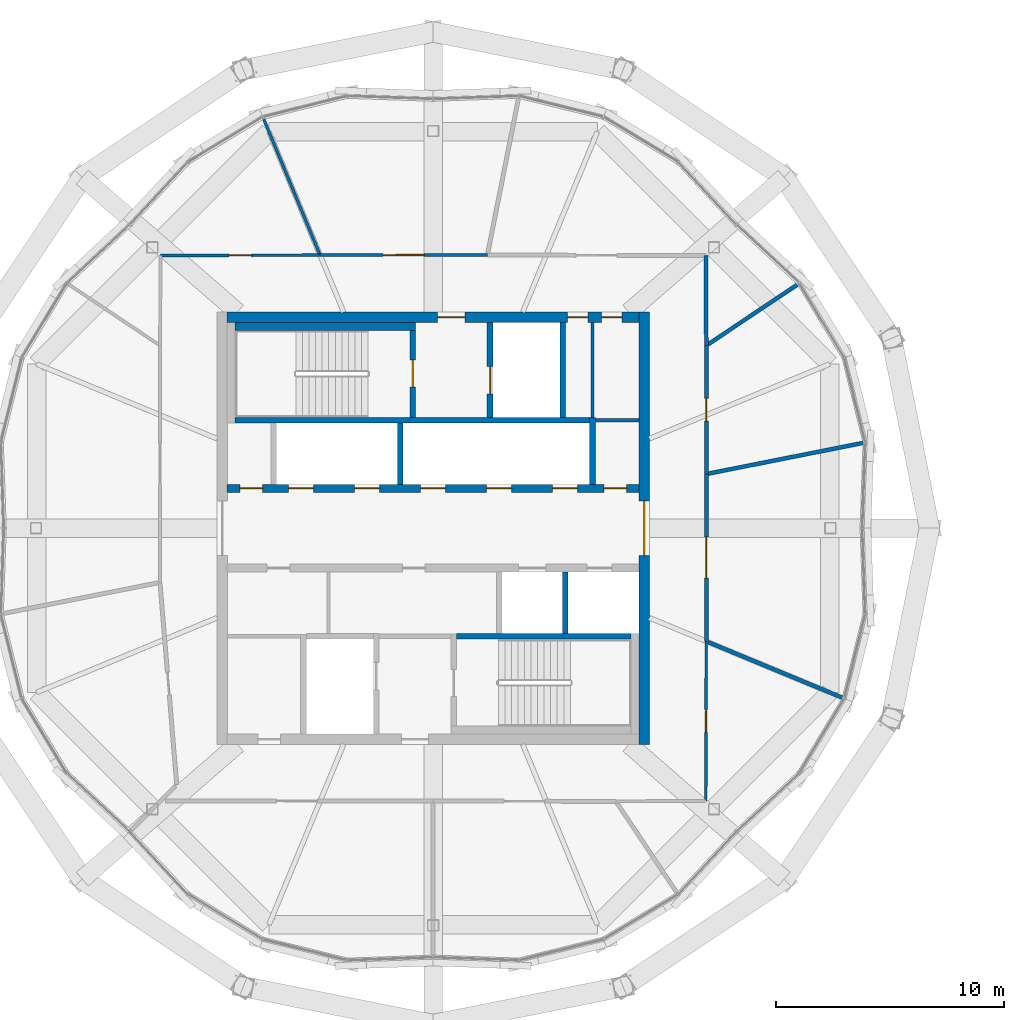
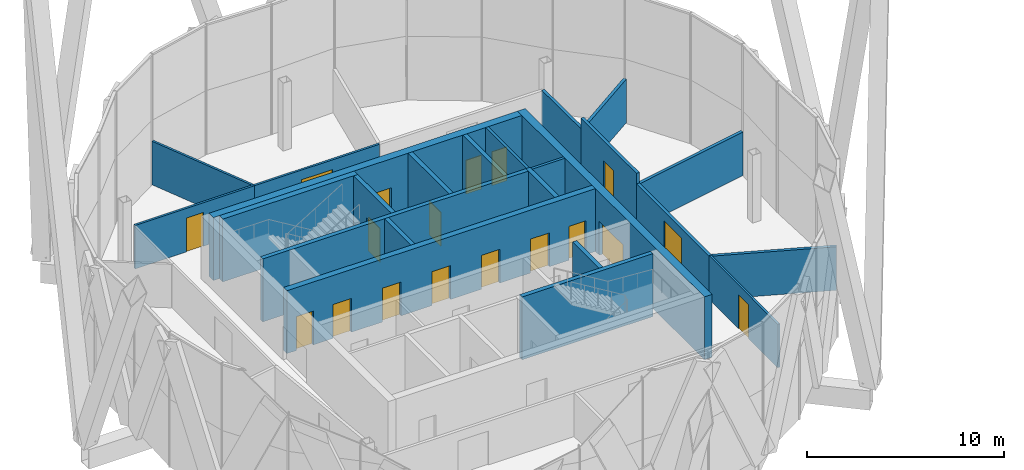
# One storey, part 31 of 38: 24 walls, 18 doors, 18 openings.
"""IFC4 building model written with IfcOpenShell, lengths in metres."""

from ifc_helpers import new_model, si_unit, direction, frame, frame_2d, origin, place, context, subcontext, project, spatial, rectangle, extrude, material, layer, layer_set, type_object, element, fill, save


model = new_model("IFC4")

# Units and contexts
model_context = context("Model", 3, precision=1e-05, world=origin(), true_north=direction((0.0, 1.0)))
body_context = subcontext(model_context, "Body", "Model", "MODEL_VIEW")
ifc_project = project(units=[si_unit("LENGTHUNIT", "METRE"), si_unit("AREAUNIT", "SQUARE_METRE"), si_unit("VOLUMEUNIT", "CUBIC_METRE"), si_unit("PLANEANGLEUNIT", "RADIAN"), si_unit("MASSUNIT", "GRAM", prefix="KILO")], contexts=[model_context])

# Site, building, storey
site_placement = place(None, origin())
site = spatial("IfcSite", under=ifc_project, at=site_placement, CompositionType="ELEMENT")
building_placement = place(site_placement, origin())
building = spatial("IfcBuilding", under=site, at=building_placement, Name="Ogive Gate Towers", CompositionType="ELEMENT")
storey_placement = place(building_placement, frame((0.0, 0.0, 268.800048828125)))
storey = spatial("IfcBuildingStorey", under=building, at=storey_placement, Name="L63", CompositionType="ELEMENT", Elevation=268.800048828125)

# Walls
ifc_material_1 = material(Name="Gypsum board acoustic partition")
ifc_layer_1 = layer(ifc_material_1, 0.175048828125)
ifc_layer_set_1 = layer_set([ifc_layer_1], Name="Acoustic partition 175")
wall_type_1 = type_object("IfcWallType", Name="Acoustic partition 175", PredefinedType="PARTITIONING", material=ifc_layer_set_1)
wall_1_placement = place(storey_placement, frame((-17.10888671875, 3.748291015625, 0.0), z_axis=(0.0, 0.0, 1.0), x_axis=(-0.980874890603, -0.194639279139, 0.0)))
element("IfcWall", 1, at=wall_1_placement, inside=storey, type_object=wall_type_1, Name="Partition T1-L63-001", PredefinedType="PARTITIONING", context=body_context, shape_type="SweptSolid", body=[
    extrude(rectangle(XDim=6.931396484375, YDim=0.175048828125, at=frame_2d((3.4658203125, 0.0))), origin(), (0.0, 0.0, 1.0), 2.699951171875),
])
wall_2_placement = place(storey_placement, frame((-19.914306640625, 10.759521484375, 0.0), z_axis=(0.0, 0.0, 1.0), x_axis=(-0.831185109007, -0.555995786463, 0.0)))
element("IfcWall", 2, at=wall_2_placement, inside=storey, type_object=wall_type_1, Name="Partition T1-L63-002", PredefinedType="PARTITIONING", context=body_context, shape_type="SweptSolid", body=[
    extrude(rectangle(XDim=4.824462890625, YDim=0.175048828125, at=frame_2d((2.412109375, 0.0))), origin(), (0.0, 0.0, 1.0), 2.699951171875),
])
wall_3_placement = place(storey_placement, frame((-18.021240234375, -7.447021484375, 0.0), z_axis=(0.0, 0.0, 1.0), x_axis=(-0.923877413209, 0.382688548773, 0.0)))
element("IfcWall", 3, at=wall_3_placement, inside=storey, type_object=wall_type_1, Name="Partition T1-L63-010", PredefinedType="PARTITIONING", context=body_context, shape_type="SweptSolid", body=[
    extrude(rectangle(XDim=6.381591796875, YDim=0.175048828125, at=frame_2d((3.19091796875, 0.0))), origin(), (0.0, 0.0, 1.0), 2.699951171875),
])

# Wall, opening, door
wall_4_placement = place(storey_placement, frame((-23.997802734375, -4.971435546875, 0.0), z_axis=(0.0, 0.0, 1.0), x_axis=(0.000564408941, 0.999999840721, 0.0)))
wall_4 = element("IfcWall", 4, at=wall_4_placement, inside=storey, type_object=wall_type_1, Name="Partition T1-L63-020", PredefinedType="PARTITIONING", context=body_context, shape_type="SweptSolid", body=[
    extrude(rectangle(XDim=7.353515625, YDim=0.175048828125, at=frame_2d((3.6767578125, 0.0))), origin(), (0.0, 0.0, 1.0), 2.699951171875),
])
opening_1_placement = place(wall_4_placement, frame((2.777099609375, 0.0, 0.0)))
opening_1 = element("IfcOpeningElement", 5, at=opening_1_placement, cuts=wall_4, Name="Opening T1-L63-D08", PredefinedType="OPENING", context=body_context, shape_type="SweptSolid", body=[
    extrude(rectangle(XDim=1.800048828125, YDim=2.10009765625, at=frame_2d((0.89990234375, 1.050048828125))), frame((0.0, 0.09765625, 0.0), z_axis=(0.0, -1.0, 0.0), x_axis=(1.0, 0.0, 0.0)), (0.0, 0.0, 1.0), 0.195068359375),
])
ifc_material_2 = material(Name="Timber door", Category="wood")
door_type_1 = type_object("IfcDoorType", Name="Door pair 1800", OperationType="NOTDEFINED", PredefinedType="DOOR", material=ifc_material_2)
door_1_placement = place(opening_1_placement, origin())
door_1 = element("IfcDoor", 6, at=door_1_placement, inside=storey, type_object=door_type_1, Name="Door T1-L63-D08", OperationType="DOUBLE_DOOR_DOUBLE_SWING", OverallHeight=2.10009765625, OverallWidth=1.800048828125, PredefinedType="DOOR", context=body_context, shape_type="SweptSolid", body=[
    extrude(rectangle(XDim=1.800048828125, YDim=2.10009765625, at=frame_2d((0.89990234375, 1.050048828125))), frame((0.0, 0.02490234375, 0.0), z_axis=(0.0, -1.0, 0.0), x_axis=(1.0, 0.0, 0.0)), (0.0, 0.0, 1.0), 0.050048828125),
])
fill(opening_1, door_1)

wall_5_placement = place(storey_placement, frame((-23.99365234375, 2.382080078125, 0.0), z_axis=(0.0, 0.0, 1.0), x_axis=(-0.000605326766, 0.99999981679, 0.0)))
wall_5 = element("IfcWall", 7, at=wall_5_placement, inside=storey, type_object=wall_type_1, Name="Partition T1-L63-021", PredefinedType="PARTITIONING", context=body_context, shape_type="SweptSolid", body=[
    extrude(rectangle(XDim=5.646484375, YDim=0.175048828125, at=frame_2d((2.8232421875, 0.0))), origin(), (0.0, 0.0, 1.0), 3.349853515625),
])
opening_2_placement = place(wall_5_placement, frame((2.322998046875, 0.0, 0.0)))
opening_2 = element("IfcOpeningElement", 8, at=opening_2_placement, cuts=wall_5, Name="Opening T1-L63-D09", PredefinedType="OPENING", context=body_context, shape_type="SweptSolid", body=[
    extrude(rectangle(XDim=1.0, YDim=2.10009765625, at=frame_2d((0.5, 1.050048828125))), frame((0.0, 0.09765625, 0.0), z_axis=(0.0, -1.0, 0.0), x_axis=(1.0, 0.0, 0.0)), (0.0, 0.0, 1.0), 0.195068359375),
])
door_type_2 = type_object("IfcDoorType", Name="Door 1000", OperationType="NOTDEFINED", PredefinedType="DOOR", material=ifc_material_2)
door_2_placement = place(opening_2_placement, origin())
door_2 = element("IfcDoor", 9, at=door_2_placement, inside=storey, type_object=door_type_2, Name="Door T1-L63-D09", OperationType="SINGLE_SWING_RIGHT", OverallHeight=2.10009765625, OverallWidth=1.0, PredefinedType="DOOR", context=body_context, shape_type="SweptSolid", body=[
    extrude(rectangle(XDim=1.0, YDim=2.10009765625, at=frame_2d((0.5, 1.050048828125))), frame((0.0, 0.02490234375, 0.0), z_axis=(0.0, -1.0, 0.0), x_axis=(1.0, 0.0, 0.0)), (0.0, 0.0, 1.0), 0.050048828125),
])
fill(opening_2, door_2)

# Wall
wall_6_placement = place(storey_placement, frame((-23.9970703125, 8.028564453125, 0.0), z_axis=(0.0, 0.0, 1.0), x_axis=(-0.005807748822, 0.999983134885, 0.0)))
element("IfcWall", 10, at=wall_6_placement, inside=storey, type_object=wall_type_1, Name="Partition T1-L63-023", PredefinedType="PARTITIONING", context=body_context, shape_type="SweptSolid", body=[
    extrude(rectangle(XDim=3.951416015625, YDim=0.175048828125, at=frame_2d((1.9755859375, 0.0))), origin(), (0.0, 0.0, 1.0), 2.699951171875),
])

# Wall, openings, doors
ifc_material_3 = material(Name="Concrete C60/75", Category="concrete")
ifc_layer_2 = layer(ifc_material_3, 0.449951171875)
ifc_layer_set_2 = layer_set([ifc_layer_2], Name="Core wall 450 mm")
wall_type_2 = type_object("IfcWallType", Name="Core wall 450 mm", PredefinedType="SHEAR", material=ifc_layer_set_2)
wall_7_placement = place(storey_placement, frame((-45.050048828125, 9.27490234375, 0.0), z_axis=(0.0, 0.0, 1.0), x_axis=(1.0, 0.0, 0.0)))
wall_7 = element("IfcWall", 11, at=wall_7_placement, inside=storey, type_object=wall_type_2, Name="T1 L63 Core wall 450 mm", PredefinedType="SHEAR", context=body_context, shape_type="SweptSolid", body=[
    extrude(rectangle(XDim=18.10009765625, YDim=0.449951171875, at=frame_2d((9.050048828125, 0.0))), origin(), (0.0, 0.0, 1.0), 3.89990234375),
])
opening_3_placement = place(wall_7_placement, frame((9.25, 0.0, 0.0)))
opening_3 = element("IfcOpeningElement", 12, at=opening_3_placement, cuts=wall_7, Name="Opening KD-T1-L63-18", PredefinedType="OPENING", context=body_context, shape_type="SweptSolid", body=[
    extrude(rectangle(XDim=1.199951171875, YDim=2.10009765625, at=frame_2d((0.60009765625, 1.050048828125))), frame((0.0, 0.23486328125, 0.0), z_axis=(0.0, -1.0, 0.0), x_axis=(1.0, 0.0, 0.0)), (0.0, 0.0, 1.0), 0.469970703125),
])
opening_4_placement = place(wall_7_placement, frame((14.949951171875, 0.0, 0.0)))
opening_4 = element("IfcOpeningElement", 13, at=opening_4_placement, cuts=wall_7, Name="Opening KD-T1-L63-20", PredefinedType="OPENING", context=body_context, shape_type="SweptSolid", body=[
    extrude(rectangle(XDim=0.89990234375, YDim=2.10009765625, at=frame_2d((0.449951171875, 1.050048828125))), frame((0.0, 0.23486328125, 0.0), z_axis=(0.0, -1.0, 0.0), x_axis=(1.0, 0.0, 0.0)), (0.0, 0.0, 1.0), 0.469970703125),
])
opening_5_placement = place(wall_7_placement, frame((16.449951171875, 0.0, 0.0)))
opening_5 = element("IfcOpeningElement", 14, at=opening_5_placement, cuts=wall_7, Name="Opening KD-T1-L63-21", PredefinedType="OPENING", context=body_context, shape_type="SweptSolid", body=[
    extrude(rectangle(XDim=0.89990234375, YDim=2.10009765625, at=frame_2d((0.449951171875, 1.050048828125))), frame((0.0, 0.23486328125, 0.0), z_axis=(0.0, -1.0, 0.0), x_axis=(1.0, 0.0, 0.0)), (0.0, 0.0, 1.0), 0.469970703125),
])
door_type_3 = type_object("IfcDoorType", Name="Core WC door 900 x 2100", OperationType="NOTDEFINED", PredefinedType="DOOR", material=ifc_material_2)
door_3_placement = place(opening_4_placement, origin())
door_3 = element("IfcDoor", 15, at=door_3_placement, inside=storey, type_object=door_type_3, Name="T1 L63 Core door", OperationType="SINGLE_SWING_LEFT", OverallHeight=2.10009765625, OverallWidth=0.89990234375, PredefinedType="DOOR", context=body_context, shape_type="SweptSolid", body=[
    extrude(rectangle(XDim=0.89990234375, YDim=2.10009765625, at=frame_2d((0.449951171875, 1.050048828125))), frame((0.0, 0.02490234375, 0.0), z_axis=(0.0, -1.0, 0.0), x_axis=(1.0, 0.0, 0.0)), (0.0, 0.0, 1.0), 0.050048828125),
])
fill(opening_4, door_3)
door_4_placement = place(opening_5_placement, origin())
door_4 = element("IfcDoor", 16, at=door_4_placement, inside=storey, type_object=door_type_3, Name="T1 L63 Core door", OperationType="SINGLE_SWING_RIGHT", OverallHeight=2.10009765625, OverallWidth=0.89990234375, PredefinedType="DOOR", context=body_context, shape_type="SweptSolid", body=[
    extrude(rectangle(XDim=0.89990234375, YDim=2.10009765625, at=frame_2d((0.449951171875, 1.050048828125))), frame((0.0, 0.02490234375, 0.0), z_axis=(0.0, -1.0, 0.0), x_axis=(1.0, 0.0, 0.0)), (0.0, 0.0, 1.0), 0.050048828125),
])
fill(opening_5, door_4)
ifc_material_4 = material(Name="Steel fire door", Category="steel")
door_type_4 = type_object("IfcDoorType", Name="Core door FD60S 1200 x 2100", OperationType="NOTDEFINED", PredefinedType="DOOR", material=ifc_material_4)
door_5_placement = place(opening_3_placement, origin())
door_5 = element("IfcDoor", 17, at=door_5_placement, inside=storey, type_object=door_type_4, Name="T1 L63 Fire-fighting lobby door", OperationType="SINGLE_SWING_LEFT", OverallHeight=2.10009765625, OverallWidth=1.199951171875, PredefinedType="DOOR", context=body_context, shape_type="SweptSolid", body=[
    extrude(rectangle(XDim=1.199951171875, YDim=2.10009765625, at=frame_2d((0.60009765625, 1.050048828125))), frame((0.0, 0.02490234375, 0.0), z_axis=(0.0, -1.0, 0.0), x_axis=(1.0, 0.0, 0.0)), (0.0, 0.0, 1.0), 0.050048828125),
])
fill(opening_3, door_5)

# Wall, opening, door
wall_8_placement = place(storey_placement, frame((-26.72509765625, -9.5, 0.0), z_axis=(0.0, 0.0, 1.0), x_axis=(0.0, 1.0, 0.0)))
wall_8 = element("IfcWall", 18, at=wall_8_placement, inside=storey, type_object=wall_type_2, Name="T1 L63 Core wall 450 mm", PredefinedType="SHEAR", context=body_context, shape_type="SweptSolid", body=[
    extrude(rectangle(XDim=19.0, YDim=0.449951171875, at=frame_2d((9.5, 0.0))), origin(), (0.0, 0.0, 1.0), 3.89990234375),
])
opening_6_placement = place(wall_8_placement, frame((8.300048828125, 0.0, 0.0)))
opening_6 = element("IfcOpeningElement", 19, at=opening_6_placement, cuts=wall_8, Name="Opening KD-T1-L63-02", PredefinedType="OPENING", context=body_context, shape_type="SweptSolid", body=[
    extrude(rectangle(XDim=2.39990234375, YDim=2.10009765625, at=frame_2d((1.199951171875, 1.050048828125))), frame((0.0, 0.23486328125, 0.0), z_axis=(0.0, -1.0, 0.0), x_axis=(1.0, 0.0, 0.0)), (0.0, 0.0, 1.0), 0.469970703125),
])
door_type_5 = type_object("IfcDoorType", Name="Core double door FD60S 2400 x 2100", OperationType="DOUBLE_DOOR_SINGLE_SWING", PredefinedType="DOOR", material=ifc_material_4)
door_6_placement = place(opening_6_placement, origin())
door_6 = element("IfcDoor", 20, at=door_6_placement, inside=storey, type_object=door_type_5, Name="T1 L63 Core door double", OperationType="DOUBLE_DOOR_SINGLE_SWING", OverallHeight=2.10009765625, OverallWidth=2.39990234375, PredefinedType="DOOR", context=body_context, shape_type="SweptSolid", body=[
    extrude(rectangle(XDim=2.39990234375, YDim=2.10009765625, at=frame_2d((1.199951171875, 1.050048828125))), frame((0.0, 0.02490234375, 0.0), z_axis=(0.0, -1.0, 0.0), x_axis=(1.0, 0.0, 0.0)), (0.0, 0.0, 1.0), 0.050048828125),
])
fill(opening_6, door_6)

# Wall
ifc_material_5 = material(Name="Gypsum board partition")
ifc_layer_3 = layer(ifc_material_5, 0.125)
ifc_layer_set_3 = layer_set([ifc_layer_3], Name="Partition 125")
wall_type_3 = type_object("IfcWallType", Name="Partition 125", PredefinedType="PARTITIONING", material=ifc_layer_set_3)
wall_9_placement = place(storey_placement, frame((-43.447021484375, 17.978759765625, 0.0), z_axis=(0.0, 0.0, 1.0), x_axis=(0.382690608286, -0.923876560115, 0.0)))
element("IfcWall", 21, at=wall_9_placement, inside=storey, type_object=wall_type_3, Name="Partition T1-L63-004", PredefinedType="PARTITIONING", context=body_context, shape_type="SweptSolid", body=[
    extrude(rectangle(XDim=6.406494140625, YDim=0.125, at=frame_2d((3.203125, 0.0))), origin(), (0.0, 0.0, 1.0), 2.699951171875),
])

# Wall, opening, door
wall_10_placement = place(storey_placement, frame((-33.617919921875, 12.00634765625, 0.0), z_axis=(0.0, 0.0, 1.0), x_axis=(-0.999999840721, -0.000564408941, 0.0)))
wall_10 = element("IfcWall", 22, at=wall_10_placement, inside=storey, type_object=wall_type_3, Name="Partition T1-L63-011", PredefinedType="PARTITIONING", context=body_context, shape_type="SweptSolid", body=[
    extrude(rectangle(XDim=7.353515625, YDim=0.125, at=frame_2d((3.6767578125, 0.0))), origin(), (0.0, 0.0, 1.0), 2.699951171875),
])
opening_7_placement = place(wall_10_placement, frame((2.777099609375, 0.0, 0.0)))
opening_7 = element("IfcOpeningElement", 23, at=opening_7_placement, cuts=wall_10, Name="Opening T1-L63-D01", PredefinedType="OPENING", context=body_context, shape_type="SweptSolid", body=[
    extrude(rectangle(XDim=1.800048828125, YDim=2.10009765625, at=frame_2d((0.89990234375, 1.050048828125))), frame((0.0, 0.072509765625, 0.0), z_axis=(0.0, -1.0, 0.0), x_axis=(1.0, 0.0, 0.0)), (0.0, 0.0, 1.0), 0.14501953125),
])
door_7_placement = place(opening_7_placement, origin())
door_7 = element("IfcDoor", 24, at=door_7_placement, inside=storey, type_object=door_type_1, Name="Door T1-L63-D01", OperationType="DOUBLE_DOOR_DOUBLE_SWING", OverallHeight=2.10009765625, OverallWidth=1.800048828125, PredefinedType="DOOR", context=body_context, shape_type="SweptSolid", body=[
    extrude(rectangle(XDim=1.800048828125, YDim=2.10009765625, at=frame_2d((0.89990234375, 1.050048828125))), frame((0.0, 0.02490234375, 0.0), z_axis=(0.0, -1.0, 0.0), x_axis=(1.0, 0.0, 0.0)), (0.0, 0.0, 1.0), 0.050048828125),
])
fill(opening_7, door_7)

wall_11_placement = place(storey_placement, frame((-40.971435546875, 12.002197265625, 0.0), z_axis=(0.0, 0.0, 1.0), x_axis=(-0.999994975719, -0.00316994262, 0.0)))
wall_11 = element("IfcWall", 25, at=wall_11_placement, inside=storey, type_object=wall_type_3, Name="Partition T1-L63-012", PredefinedType="PARTITIONING", context=body_context, shape_type="SweptSolid", body=[
    extrude(rectangle(XDim=7.008544921875, YDim=0.125, at=frame_2d((3.50439453125, 0.0))), origin(), (0.0, 0.0, 1.0), 2.699951171875),
])
opening_8_placement = place(wall_11_placement, frame((3.00390625, 0.0, 0.0)))
opening_8 = element("IfcOpeningElement", 26, at=opening_8_placement, cuts=wall_11, Name="Opening T1-L63-D02", PredefinedType="OPENING", context=body_context, shape_type="SweptSolid", body=[
    extrude(rectangle(XDim=1.0, YDim=2.10009765625, at=frame_2d((0.5, 1.050048828125))), frame((0.0, 0.072509765625, 0.0), z_axis=(0.0, -1.0, 0.0), x_axis=(1.0, 0.0, 0.0)), (0.0, 0.0, 1.0), 0.14501953125),
])
door_8_placement = place(opening_8_placement, origin())
door_8 = element("IfcDoor", 27, at=door_8_placement, inside=storey, type_object=door_type_2, Name="Door T1-L63-D02", OperationType="SINGLE_SWING_RIGHT", OverallHeight=2.10009765625, OverallWidth=1.0, PredefinedType="DOOR", context=body_context, shape_type="SweptSolid", body=[
    extrude(rectangle(XDim=1.0, YDim=2.10009765625, at=frame_2d((0.5, 1.050048828125))), frame((0.0, 0.02490234375, 0.0), z_axis=(0.0, -1.0, 0.0), x_axis=(1.0, 0.0, 0.0)), (0.0, 0.0, 1.0), 0.050048828125),
])
fill(opening_8, door_8)

wall_12_placement = place(storey_placement, frame((-24.02001953125, -11.97998046875, 0.0), z_axis=(0.0, 0.0, 1.0), x_axis=(0.00316994262, 0.999994975719, 0.0)))
wall_12 = element("IfcWall", 28, at=wall_12_placement, inside=storey, type_object=wall_type_3, Name="Partition T1-L63-018", PredefinedType="PARTITIONING", context=body_context, shape_type="SweptSolid", body=[
    extrude(rectangle(XDim=7.008544921875, YDim=0.125, at=frame_2d((3.50439453125, 0.0))), origin(), (0.0, 0.0, 1.0), 2.699951171875),
])
opening_9_placement = place(wall_12_placement, frame((3.00390625, 0.0, 0.0)))
opening_9 = element("IfcOpeningElement", 29, at=opening_9_placement, cuts=wall_12, Name="Opening T1-L63-D07", PredefinedType="OPENING", context=body_context, shape_type="SweptSolid", body=[
    extrude(rectangle(XDim=1.0, YDim=2.10009765625, at=frame_2d((0.5, 1.050048828125))), frame((0.0, 0.072509765625, 0.0), z_axis=(0.0, -1.0, 0.0), x_axis=(1.0, 0.0, 0.0)), (0.0, 0.0, 1.0), 0.14501953125),
])
door_9_placement = place(opening_9_placement, origin())
door_9 = element("IfcDoor", 30, at=door_9_placement, inside=storey, type_object=door_type_2, Name="Door T1-L63-D07", OperationType="SINGLE_SWING_RIGHT", OverallHeight=2.10009765625, OverallWidth=1.0, PredefinedType="DOOR", context=body_context, shape_type="SweptSolid", body=[
    extrude(rectangle(XDim=1.0, YDim=2.10009765625, at=frame_2d((0.5, 1.050048828125))), frame((0.0, 0.02490234375, 0.0), z_axis=(0.0, -1.0, 0.0), x_axis=(1.0, 0.0, 0.0)), (0.0, 0.0, 1.0), 0.050048828125),
])
fill(opening_9, door_9)

# Walls
ifc_layer_4 = layer(ifc_material_5, 0.14990234375)
ifc_layer_set_4 = layer_set([ifc_layer_4], Name="Room partition 150 mm")
wall_type_4 = type_object("IfcWallType", Name="Room partition 150 mm", PredefinedType="PARTITIONING", material=ifc_layer_set_4)
wall_13_placement = place(storey_placement, frame((-28.875, 4.75, 0.0), z_axis=(0.0, 0.0, 1.0), x_axis=(1.0, 0.0, 0.0)))
element("IfcWall", 31, at=wall_13_placement, inside=storey, type_object=wall_type_4, Name="T1 L63 Room partition 150 mm", PredefinedType="PARTITIONING", context=body_context, shape_type="SweptSolid", body=[
    extrude(rectangle(XDim=1.925048828125, YDim=0.14990234375, at=frame_2d((0.96240234375, 0.0))), origin(), (0.0, 0.0, 1.0), 3.89990234375),
])
wall_14_placement = place(storey_placement, frame((-29.0, 4.875, 0.0), z_axis=(0.0, 0.0, 1.0), x_axis=(0.0, 1.0, 0.0)))
element("IfcWall", 32, at=wall_14_placement, inside=storey, type_object=wall_type_4, Name="T1 L63 Room partition 150 mm", PredefinedType="PARTITIONING", context=body_context, shape_type="SweptSolid", body=[
    extrude(rectangle(XDim=4.175048828125, YDim=0.14990234375, at=frame_2d((2.08740234375, 0.0))), origin(), (0.0, 0.0, 1.0), 3.89990234375),
])
ifc_layer_5 = layer(ifc_material_3, 0.25)
ifc_layer_set_5 = layer_set([ifc_layer_5], Name="Shaft wall 250 mm")
wall_type_5 = type_object("IfcWallType", Name="Shaft wall 250 mm", PredefinedType="SHEAR", material=ifc_layer_set_5)
wall_15_placement = place(storey_placement, frame((-34.97509765625, -4.75, 0.0), z_axis=(0.0, 0.0, 1.0), x_axis=(1.0, 0.0, 0.0)))
element("IfcWall", 33, at=wall_15_placement, inside=storey, type_object=wall_type_5, Name="T1 L63 Shaft wall 250 mm", PredefinedType="SHEAR", context=body_context, shape_type="SweptSolid", body=[
    extrude(rectangle(XDim=7.675048828125, YDim=0.25, at=frame_2d((3.83740234375, 0.0))), origin(), (0.0, 0.0, 1.0), 3.89990234375),
])
wall_16_placement = place(storey_placement, frame((-44.699951171875, 4.75, 0.0), z_axis=(0.0, 0.0, 1.0), x_axis=(1.0, 0.0, 0.0)))
element("IfcWall", 34, at=wall_16_placement, inside=storey, type_object=wall_type_5, Name="T1 L63 Shaft wall 250 mm", PredefinedType="SHEAR", context=body_context, shape_type="SweptSolid", body=[
    extrude(rectangle(XDim=15.574951171875, YDim=0.25, at=frame_2d((7.78759765625, 0.0))), origin(), (0.0, 0.0, 1.0), 3.89990234375),
])
wall_17_placement = place(storey_placement, frame((-37.449951171875, 1.925048828125, 0.0), z_axis=(0.0, 0.0, 1.0), x_axis=(0.0, 1.0, 0.0)))
element("IfcWall", 35, at=wall_17_placement, inside=storey, type_object=wall_type_5, Name="T1 L63 Shaft wall 250 mm", PredefinedType="SHEAR", context=body_context, shape_type="SweptSolid", body=[
    extrude(rectangle(XDim=2.699951171875, YDim=0.25, at=frame_2d((1.35009765625, 0.0))), origin(), (0.0, 0.0, 1.0), 3.89990234375),
])

# Wall, opening, door
wall_18_placement = place(storey_placement, frame((-36.89990234375, 4.875, 0.0), z_axis=(0.0, 0.0, 1.0), x_axis=(0.0, 1.0, 0.0)))
wall_18 = element("IfcWall", 36, at=wall_18_placement, inside=storey, type_object=wall_type_5, Name="T1 L63 Shaft wall 250 mm", PredefinedType="SHEAR", context=body_context, shape_type="SweptSolid", body=[
    extrude(rectangle(XDim=3.824951171875, YDim=0.25, at=frame_2d((1.91259765625, 0.0))), origin(), (0.0, 0.0, 1.0), 3.89990234375),
])
opening_10_placement = place(wall_18_placement, frame((1.324951171875, 0.0, 0.0)))
opening_10 = element("IfcOpeningElement", 37, at=opening_10_placement, cuts=wall_18, Name="Opening KD-T1-L63-16", PredefinedType="OPENING", context=body_context, shape_type="SweptSolid", body=[
    extrude(rectangle(XDim=1.199951171875, YDim=2.10009765625, at=frame_2d((0.60009765625, 1.050048828125))), frame((0.0, 0.135009765625, 0.0), z_axis=(0.0, -1.0, 0.0), x_axis=(1.0, 0.0, 0.0)), (0.0, 0.0, 1.0), 0.27001953125),
])
door_10_placement = place(opening_10_placement, origin())
door_10 = element("IfcDoor", 38, at=door_10_placement, inside=storey, type_object=door_type_4, Name="T1 L63 Stair door", OperationType="SINGLE_SWING_LEFT", OverallHeight=2.10009765625, OverallWidth=1.199951171875, PredefinedType="DOOR", context=body_context, shape_type="SweptSolid", body=[
    extrude(rectangle(XDim=1.199951171875, YDim=2.10009765625, at=frame_2d((0.60009765625, 1.050048828125))), frame((0.0, 0.02490234375, 0.0), z_axis=(0.0, -1.0, 0.0), x_axis=(1.0, 0.0, 0.0)), (0.0, 0.0, 1.0), 0.050048828125),
])
fill(opening_10, door_10)

wall_19_placement = place(storey_placement, frame((-33.5, 4.875, 0.0), z_axis=(0.0, 0.0, 1.0), x_axis=(0.0, 1.0, 0.0)))
wall_19 = element("IfcWall", 39, at=wall_19_placement, inside=storey, type_object=wall_type_5, Name="T1 L63 Shaft wall 250 mm", PredefinedType="SHEAR", context=body_context, shape_type="SweptSolid", body=[
    extrude(rectangle(XDim=4.175048828125, YDim=0.25, at=frame_2d((2.08740234375, 0.0))), origin(), (0.0, 0.0, 1.0), 3.89990234375),
])
opening_11_placement = place(wall_19_placement, frame((1.02490234375, 0.0, 0.0)))
opening_11 = element("IfcOpeningElement", 40, at=opening_11_placement, cuts=wall_19, Name="Opening LD-T1-L63-12", PredefinedType="OPENING", context=body_context, shape_type="SweptSolid", body=[
    extrude(rectangle(XDim=1.199951171875, YDim=2.10009765625, at=frame_2d((0.60009765625, 1.050048828125))), frame((0.0, 0.135009765625, 0.0), z_axis=(0.0, -1.0, 0.0), x_axis=(1.0, 0.0, 0.0)), (0.0, 0.0, 1.0), 0.27001953125),
])
ifc_material_6 = material(Name="Stainless steel landing door", Category="steel")
door_type_6 = type_object("IfcDoorType", Name="Landing door 1200 x 2100", OperationType="SLIDING_TO_LEFT", PredefinedType="DOOR", material=ifc_material_6)
door_11_placement = place(opening_11_placement, origin())
door_11 = element("IfcDoor", 41, at=door_11_placement, inside=storey, type_object=door_type_6, Name="T1 L63 Lift landing door FF1", OperationType="SLIDING_TO_LEFT", OverallHeight=2.10009765625, OverallWidth=1.199951171875, PredefinedType="DOOR", context=body_context, shape_type="SweptSolid", body=[
    extrude(rectangle(XDim=1.199951171875, YDim=2.10009765625, at=frame_2d((0.60009765625, 1.050048828125))), frame((0.0, 0.02490234375, 0.0), z_axis=(0.0, -1.0, 0.0), x_axis=(1.0, 0.0, 0.0)), (0.0, 0.0, 1.0), 0.050048828125),
])
fill(opening_11, door_11)

# Walls
wall_20_placement = place(storey_placement, frame((-30.300048828125, 4.875, 0.0), z_axis=(0.0, 0.0, 1.0), x_axis=(0.0, 1.0, 0.0)))
element("IfcWall", 42, at=wall_20_placement, inside=storey, type_object=wall_type_5, Name="T1 L63 Shaft wall 250 mm", PredefinedType="SHEAR", context=body_context, shape_type="SweptSolid", body=[
    extrude(rectangle(XDim=4.175048828125, YDim=0.25, at=frame_2d((2.08740234375, 0.0))), origin(), (0.0, 0.0, 1.0), 3.89990234375),
])
wall_21_placement = place(storey_placement, frame((-30.199951171875, -4.625, 0.0), z_axis=(0.0, 0.0, 1.0), x_axis=(0.0, 1.0, 0.0)))
element("IfcWall", 43, at=wall_21_placement, inside=storey, type_object=wall_type_5, Name="T1 L63 Shaft wall 250 mm", PredefinedType="SHEAR", context=body_context, shape_type="SweptSolid", body=[
    extrude(rectangle(XDim=2.699951171875, YDim=0.25, at=frame_2d((1.35009765625, 0.0))), origin(), (0.0, 0.0, 1.0), 3.89990234375),
])
wall_22_placement = place(storey_placement, frame((-29.0, 1.925048828125, 0.0), z_axis=(0.0, 0.0, 1.0), x_axis=(0.0, 1.0, 0.0)))
element("IfcWall", 44, at=wall_22_placement, inside=storey, type_object=wall_type_5, Name="T1 L63 Shaft wall 250 mm", PredefinedType="SHEAR", context=body_context, shape_type="SweptSolid", body=[
    extrude(rectangle(XDim=2.949951171875, YDim=0.25, at=frame_2d((1.47509765625, 0.0))), origin(), (0.0, 0.0, 1.0), 3.89990234375),
])

# Wall, openings, doors
ifc_layer_6 = layer(ifc_material_3, 0.35009765625)
ifc_layer_set_6 = layer_set([ifc_layer_6], Name="Spine wall 350 mm")
wall_type_6 = type_object("IfcWallType", Name="Spine wall 350 mm", PredefinedType="SHEAR", material=ifc_layer_set_6)
wall_23_placement = place(storey_placement, frame((-45.050048828125, 1.75, 0.0), z_axis=(0.0, 0.0, 1.0), x_axis=(1.0, 0.0, 0.0)))
wall_23 = element("IfcWall", 45, at=wall_23_placement, inside=storey, type_object=wall_type_6, Name="T1 L63 Spine wall 350 mm", PredefinedType="SHEAR", context=body_context, shape_type="SweptSolid", body=[
    extrude(rectangle(XDim=18.10009765625, YDim=0.35009765625, at=frame_2d((9.050048828125, 0.0))), origin(), (0.0, 0.0, 1.0), 3.89990234375),
])
opening_12_placement = place(wall_23_placement, frame((0.550048828125, 0.0, 0.0)))
opening_12 = element("IfcOpeningElement", 46, at=opening_12_placement, cuts=wall_23, Name="Opening KD-T1-L63-03", PredefinedType="OPENING", context=body_context, shape_type="SweptSolid", body=[
    extrude(rectangle(XDim=1.0, YDim=2.10009765625, at=frame_2d((0.5, 1.050048828125))), frame((0.0, 0.18505859375, 0.0), z_axis=(0.0, -1.0, 0.0), x_axis=(1.0, 0.0, 0.0)), (0.0, 0.0, 1.0), 0.3701171875),
])
opening_13_placement = place(wall_23_placement, frame((2.699951171875, 0.0, 0.0)))
opening_13 = element("IfcOpeningElement", 47, at=opening_13_placement, cuts=wall_23, Name="Opening LD-T1-L63-04", PredefinedType="OPENING", context=body_context, shape_type="SweptSolid", body=[
    extrude(rectangle(XDim=1.10009765625, YDim=2.10009765625, at=frame_2d((0.550048828125, 1.050048828125))), frame((0.0, 0.18505859375, 0.0), z_axis=(0.0, -1.0, 0.0), x_axis=(1.0, 0.0, 0.0)), (0.0, 0.0, 1.0), 0.3701171875),
])
opening_14_placement = place(wall_23_placement, frame((5.60009765625, 0.0, 0.0)))
opening_14 = element("IfcOpeningElement", 48, at=opening_14_placement, cuts=wall_23, Name="Opening LD-T1-L63-05", PredefinedType="OPENING", context=body_context, shape_type="SweptSolid", body=[
    extrude(rectangle(XDim=1.10009765625, YDim=2.10009765625, at=frame_2d((0.550048828125, 1.050048828125))), frame((0.0, 0.18505859375, 0.0), z_axis=(0.0, -1.0, 0.0), x_axis=(1.0, 0.0, 0.0)), (0.0, 0.0, 1.0), 0.3701171875),
])
opening_15_placement = place(wall_23_placement, frame((8.5, 0.0, 0.0)))
opening_15 = element("IfcOpeningElement", 49, at=opening_15_placement, cuts=wall_23, Name="Opening LD-T1-L63-06", PredefinedType="OPENING", context=body_context, shape_type="SweptSolid", body=[
    extrude(rectangle(XDim=1.10009765625, YDim=2.10009765625, at=frame_2d((0.550048828125, 1.050048828125))), frame((0.0, 0.18505859375, 0.0), z_axis=(0.0, -1.0, 0.0), x_axis=(1.0, 0.0, 0.0)), (0.0, 0.0, 1.0), 0.3701171875),
])
opening_16_placement = place(wall_23_placement, frame((11.39990234375, 0.0, 0.0)))
opening_16 = element("IfcOpeningElement", 50, at=opening_16_placement, cuts=wall_23, Name="Opening LD-T1-L63-07", PredefinedType="OPENING", context=body_context, shape_type="SweptSolid", body=[
    extrude(rectangle(XDim=1.10009765625, YDim=2.10009765625, at=frame_2d((0.550048828125, 1.050048828125))), frame((0.0, 0.18505859375, 0.0), z_axis=(0.0, -1.0, 0.0), x_axis=(1.0, 0.0, 0.0)), (0.0, 0.0, 1.0), 0.3701171875),
])
opening_17_placement = place(wall_23_placement, frame((14.300048828125, 0.0, 0.0)))
opening_17 = element("IfcOpeningElement", 51, at=opening_17_placement, cuts=wall_23, Name="Opening LD-T1-L63-08", PredefinedType="OPENING", context=body_context, shape_type="SweptSolid", body=[
    extrude(rectangle(XDim=1.10009765625, YDim=2.10009765625, at=frame_2d((0.550048828125, 1.050048828125))), frame((0.0, 0.18505859375, 0.0), z_axis=(0.0, -1.0, 0.0), x_axis=(1.0, 0.0, 0.0)), (0.0, 0.0, 1.0), 0.3701171875),
])
opening_18_placement = place(wall_23_placement, frame((16.550048828125, 0.0, 0.0)))
opening_18 = element("IfcOpeningElement", 52, at=opening_18_placement, cuts=wall_23, Name="Opening KD-T1-L63-09", PredefinedType="OPENING", context=body_context, shape_type="SweptSolid", body=[
    extrude(rectangle(XDim=1.0, YDim=2.10009765625, at=frame_2d((0.5, 1.050048828125))), frame((0.0, 0.18505859375, 0.0), z_axis=(0.0, -1.0, 0.0), x_axis=(1.0, 0.0, 0.0)), (0.0, 0.0, 1.0), 0.3701171875),
])
door_type_7 = type_object("IfcDoorType", Name="Core door FD60S 1000 x 2100", OperationType="NOTDEFINED", PredefinedType="DOOR", material=ifc_material_4)
door_12_placement = place(opening_12_placement, origin())
door_12 = element("IfcDoor", 53, at=door_12_placement, inside=storey, type_object=door_type_7, Name="T1 L63 Core door", OperationType="SINGLE_SWING_RIGHT", OverallHeight=2.10009765625, OverallWidth=1.0, PredefinedType="DOOR", context=body_context, shape_type="SweptSolid", body=[
    extrude(rectangle(XDim=1.0, YDim=2.10009765625, at=frame_2d((0.5, 1.050048828125))), frame((0.0, 0.02490234375, 0.0), z_axis=(0.0, -1.0, 0.0), x_axis=(1.0, 0.0, 0.0)), (0.0, 0.0, 1.0), 0.050048828125),
])
fill(opening_12, door_12)
door_13_placement = place(opening_18_placement, origin())
door_13 = element("IfcDoor", 54, at=door_13_placement, inside=storey, type_object=door_type_7, Name="T1 L63 Core door", OperationType="SINGLE_SWING_RIGHT", OverallHeight=2.10009765625, OverallWidth=1.0, PredefinedType="DOOR", context=body_context, shape_type="SweptSolid", body=[
    extrude(rectangle(XDim=1.0, YDim=2.10009765625, at=frame_2d((0.5, 1.050048828125))), frame((0.0, 0.02490234375, 0.0), z_axis=(0.0, -1.0, 0.0), x_axis=(1.0, 0.0, 0.0)), (0.0, 0.0, 1.0), 0.050048828125),
])
fill(opening_18, door_13)
door_type_8 = type_object("IfcDoorType", Name="Landing door 1100 x 2100", OperationType="SLIDING_TO_LEFT", PredefinedType="DOOR", material=ifc_material_6)
door_14_placement = place(opening_13_placement, origin())
door_14 = element("IfcDoor", 55, at=door_14_placement, inside=storey, type_object=door_type_8, Name="T1 L63 Lift landing door B1", OperationType="SLIDING_TO_LEFT", OverallHeight=2.10009765625, OverallWidth=1.10009765625, PredefinedType="DOOR", context=body_context, shape_type="SweptSolid", body=[
    extrude(rectangle(XDim=1.10009765625, YDim=2.10009765625, at=frame_2d((0.550048828125, 1.050048828125))), frame((0.0, 0.02490234375, 0.0), z_axis=(0.0, -1.0, 0.0), x_axis=(1.0, 0.0, 0.0)), (0.0, 0.0, 1.0), 0.050048828125),
])
fill(opening_13, door_14)
door_15_placement = place(opening_14_placement, origin())
door_15 = element("IfcDoor", 56, at=door_15_placement, inside=storey, type_object=door_type_8, Name="T1 L63 Lift landing door B2", OperationType="SLIDING_TO_LEFT", OverallHeight=2.10009765625, OverallWidth=1.10009765625, PredefinedType="DOOR", context=body_context, shape_type="SweptSolid", body=[
    extrude(rectangle(XDim=1.10009765625, YDim=2.10009765625, at=frame_2d((0.550048828125, 1.050048828125))), frame((0.0, 0.02490234375, 0.0), z_axis=(0.0, -1.0, 0.0), x_axis=(1.0, 0.0, 0.0)), (0.0, 0.0, 1.0), 0.050048828125),
])
fill(opening_14, door_15)
door_16_placement = place(opening_15_placement, origin())
door_16 = element("IfcDoor", 57, at=door_16_placement, inside=storey, type_object=door_type_8, Name="T1 L63 Lift landing door B3", OperationType="SLIDING_TO_LEFT", OverallHeight=2.10009765625, OverallWidth=1.10009765625, PredefinedType="DOOR", context=body_context, shape_type="SweptSolid", body=[
    extrude(rectangle(XDim=1.10009765625, YDim=2.10009765625, at=frame_2d((0.550048828125, 1.050048828125))), frame((0.0, 0.02490234375, 0.0), z_axis=(0.0, -1.0, 0.0), x_axis=(1.0, 0.0, 0.0)), (0.0, 0.0, 1.0), 0.050048828125),
])
fill(opening_15, door_16)
door_17_placement = place(opening_16_placement, origin())
door_17 = element("IfcDoor", 58, at=door_17_placement, inside=storey, type_object=door_type_8, Name="T1 L63 Lift landing door B4", OperationType="SLIDING_TO_LEFT", OverallHeight=2.10009765625, OverallWidth=1.10009765625, PredefinedType="DOOR", context=body_context, shape_type="SweptSolid", body=[
    extrude(rectangle(XDim=1.10009765625, YDim=2.10009765625, at=frame_2d((0.550048828125, 1.050048828125))), frame((0.0, 0.02490234375, 0.0), z_axis=(0.0, -1.0, 0.0), x_axis=(1.0, 0.0, 0.0)), (0.0, 0.0, 1.0), 0.050048828125),
])
fill(opening_16, door_17)
door_18_placement = place(opening_17_placement, origin())
door_18 = element("IfcDoor", 59, at=door_18_placement, inside=storey, type_object=door_type_8, Name="T1 L63 Lift landing door B5", OperationType="SLIDING_TO_LEFT", OverallHeight=2.10009765625, OverallWidth=1.10009765625, PredefinedType="DOOR", context=body_context, shape_type="SweptSolid", body=[
    extrude(rectangle(XDim=1.10009765625, YDim=2.10009765625, at=frame_2d((0.550048828125, 1.050048828125))), frame((0.0, 0.02490234375, 0.0), z_axis=(0.0, -1.0, 0.0), x_axis=(1.0, 0.0, 0.0)), (0.0, 0.0, 1.0), 0.050048828125),
])
fill(opening_17, door_18)

# Wall
ifc_layer_7 = layer(ifc_material_3, 0.35009765625)
ifc_layer_set_7 = layer_set([ifc_layer_7], Name="Stair wall 350 mm")
wall_type_7 = type_object("IfcWallType", Name="Stair wall 350 mm", PredefinedType="SHEAR", material=ifc_layer_set_7)
wall_24_placement = place(storey_placement, frame((-44.699951171875, 8.875, 0.0), z_axis=(0.0, 0.0, 1.0), x_axis=(1.0, 0.0, 0.0)))
element("IfcWall", 60, at=wall_24_placement, inside=storey, type_object=wall_type_7, Name="T1 L63 Stair wall 350 mm", PredefinedType="SHEAR", context=body_context, shape_type="SweptSolid", body=[
    extrude(rectangle(XDim=7.925048828125, YDim=0.35009765625, at=frame_2d((3.96240234375, 0.0))), origin(), (0.0, 0.0, 1.0), 3.89990234375),
])

save(model, "model.ifc")
